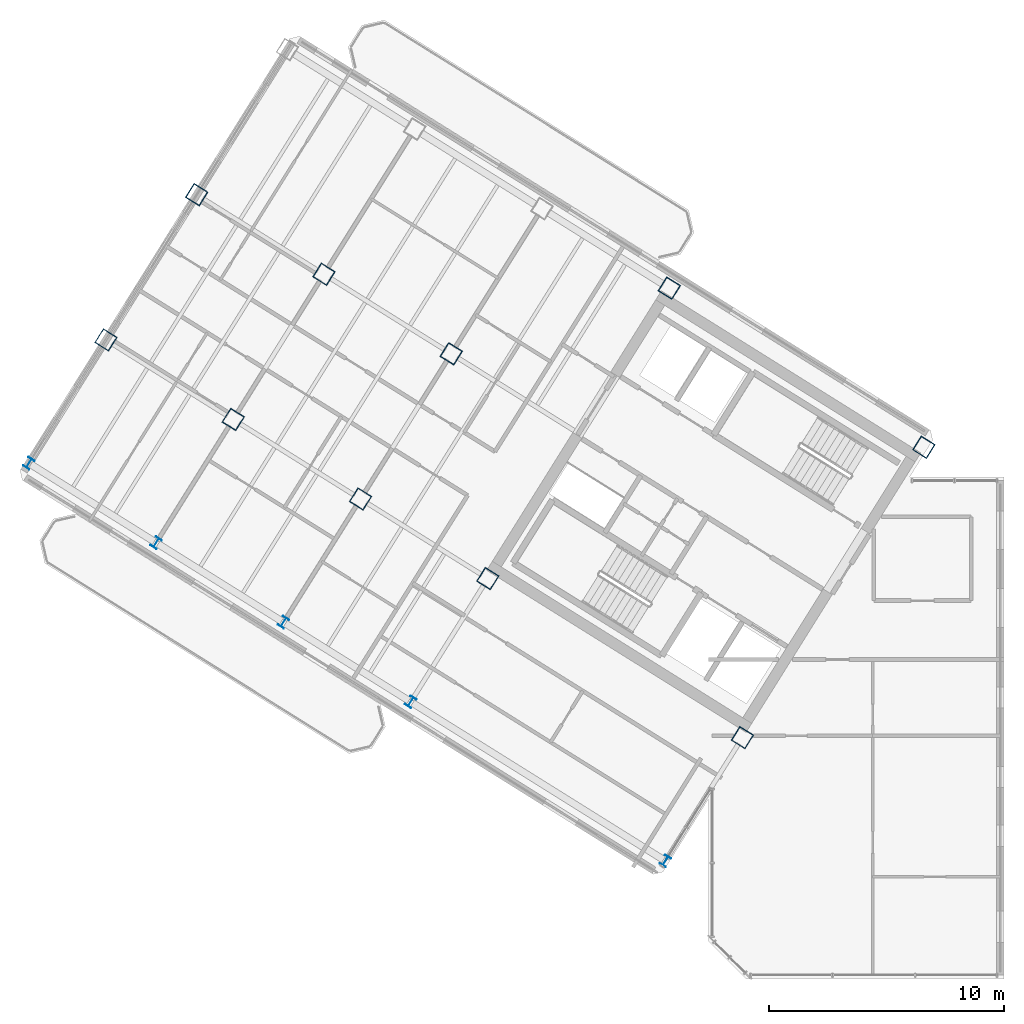
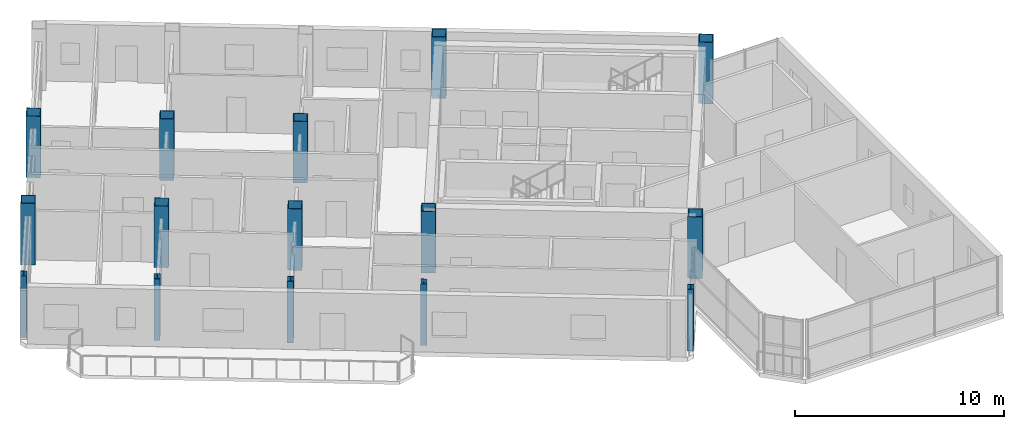
# One storey, part 1 of 17: 15 columns.
"""IFC4 building model written with IfcOpenShell, lengths in metres."""

from ifc_helpers import new_model, si_unit, direction, frame, origin, origin_2d, place, context, subcontext, project, spatial, hollow_rectangle, i_section, extrude, source, transform, mapped, material, material_profile, profile_set, type_object, element, save


model = new_model("IFC4")

# Units and contexts
model_context = context("Model", 3, precision=1e-05, world=origin(), true_north=direction((0.0, 1.0)))
body_context = subcontext(model_context, "Body", "Model", "MODEL_VIEW")
ifc_project = project(units=[si_unit("LENGTHUNIT", "METRE"), si_unit("AREAUNIT", "SQUARE_METRE"), si_unit("VOLUMEUNIT", "CUBIC_METRE"), si_unit("PLANEANGLEUNIT", "RADIAN"), si_unit("MASSUNIT", "GRAM", prefix="KILO")], contexts=[model_context])

# Site, building, storey
site_placement = place(None, origin())
site = spatial("IfcSite", under=ifc_project, at=site_placement, CompositionType="ELEMENT")
building_placement = place(site_placement, origin())
building = spatial("IfcBuilding", under=site, at=building_placement, Name="Tlacorven Tower", CompositionType="ELEMENT")
storey_placement = place(building_placement, frame((0.0, 0.0, 270.0)))
storey = spatial("IfcBuildingStorey", under=building, at=storey_placement, Name="L68", CompositionType="ELEMENT", Elevation=270.0)

# Columns
ifc_material_1 = material(Name="Steel S355J2", Category="steel")
ifc_material_profile_1 = material_profile(ifc_material_1, i_section(OverallWidth=0.300048828125, OverallDepth=0.449951171875, WebThickness=0.013916015625, FlangeThickness=0.02587890625, at=origin_2d()), Name="HEB 450")
ifc_profile_set_1 = profile_set([ifc_material_profile_1], Name="Steel S355J2")
column_type_1 = type_object("IfcColumnType", Name="COL-TWR-P3", PredefinedType="COLUMN", material=ifc_profile_set_1)
shared_shape_1 = source(origin(), body_context, "Body", "SweptSolid", [
    extrude(i_section(OverallWidth=0.300048828125, OverallDepth=0.449951171875, WebThickness=0.013916015625, FlangeThickness=0.02587890625, at=origin_2d()), origin(), (0.0, 0.0, 1.0), 3.60009765625),
])
for number, where, z_axis, x_axis, name in (
    (1, (29.7607421875, 6.8291015625, 0.0), (0.0, 0.0, 1.0), (-0.848048096156, 0.529919264233, 0.0), "L68 column COL-L68-W1-4"),
    (2, (18.905517578125, 13.612060546875, 0.0), (0.0, 0.0, 1.0), (-0.848048096156, 0.529919264233, 0.0), "L68 column COL-L68-W3-4"),
    (3, (13.47802734375, 17.00341796875, 0.0), (0.0, 0.0, 1.0), (-0.848048096156, 0.529919264233, 0.0), "L68 column COL-L68-W4-4"),
    (4, (8.050537109375, 20.39501953125, 0.0), (0.0, 0.0, 1.0), (-0.848048096156, 0.529919264233, 0.0), "L68 column COL-L68-W5-4"),
    (5, (2.623046875, 23.786376953125, 0.0), (0.0, 0.0, 1.0), (-0.848048096156, 0.529919264233, 0.0), "L68 column COL-L68-W6-4"),
):
    element("IfcColumn", number, at=place(storey_placement, frame(where, z_axis=z_axis, x_axis=x_axis)), inside=storey, type_object=column_type_1, Name=name, PredefinedType="COLUMN", context=body_context, shape_type="MappedRepresentation", body=[
        mapped(shared_shape_1, transform((0.0, 0.0, 0.0), scale=1.0)),
    ])
ifc_material_2 = material(Name="Steel S460M", Category="steel")
ifc_material_profile_2 = material_profile(ifc_material_2, hollow_rectangle(XDim=0.699951171875, YDim=0.699951171875, WallThickness=0.028076171875, at=origin_2d()), Name="BOX 700X700X28")
ifc_profile_set_2 = profile_set([ifc_material_profile_2], Name="Steel S460M")
column_type_2 = type_object("IfcColumnType", Name="COL-TWR-S4", PredefinedType="COLUMN", material=ifc_profile_set_2)
shared_shape_2 = source(origin(), body_context, "Body", "SweptSolid", [
    extrude(hollow_rectangle(XDim=0.699951171875, YDim=0.699951171875, WallThickness=0.028076171875, at=origin_2d()), origin(), (0.0, 0.0, 1.0), 3.60009765625),
])
for number, where, z_axis, x_axis, name in (
    (6, (40.782958984375, 24.468505859375, 0.0), (0.0, 0.0, 1.0), (-0.848048096156, 0.529919264233, 0.0), "L68 column COL-L68-W1-1"),
    (7, (33.046142578125, 12.0869140625, 0.0), (0.0, 0.0, 1.0), (-0.848048096156, 0.529919264233, 0.0), "L68 column COL-L68-W1-3"),
    (8, (29.927978515625, 31.25146484375, 0.0), (0.0, 0.0, 1.0), (-0.848048096156, 0.529919264233, 0.0), "L68 column COL-L68-W3-1"),
    (9, (22.191162109375, 18.869873046875, 0.0), (0.0, 0.0, 1.0), (-0.848048096156, 0.529919264233, 0.0), "L68 column COL-L68-W3-3"),
    (10, (20.632080078125, 28.4521484375, 0.0), (0.0, 0.0, 1.0), (-0.848048096156, 0.529919264233, 0.0), "L68 column COL-L68-W4-2"),
    (11, (16.763671875, 22.26123046875, 0.0), (0.0, 0.0, 1.0), (-0.848048096156, 0.529919264233, 0.0), "L68 column COL-L68-W4-3"),
    (12, (15.20458984375, 31.843505859375, 0.0), (0.0, 0.0, 1.0), (-0.848048096156, 0.529919264233, 0.0), "L68 column COL-L68-W5-2"),
    (13, (11.336181640625, 25.65283203125, 0.0), (0.0, 0.0, 1.0), (-0.848048096156, 0.529919264233, 0.0), "L68 column COL-L68-W5-3"),
    (14, (9.777099609375, 35.235107421875, 0.0), (0.0, 0.0, 1.0), (-0.848048096156, 0.529919264233, 0.0), "L68 column COL-L68-W6-2"),
    (15, (5.90869140625, 29.044189453125, 0.0), (0.0, 0.0, 1.0), (-0.848048096156, 0.529919264233, 0.0), "L68 column COL-L68-W6-3"),
):
    element("IfcColumn", number, at=place(storey_placement, frame(where, z_axis=z_axis, x_axis=x_axis)), inside=storey, type_object=column_type_2, Name=name, PredefinedType="COLUMN", context=body_context, shape_type="MappedRepresentation", body=[
        mapped(shared_shape_2, transform((0.0, 0.0, 0.0), scale=1.0)),
    ])

save(model, "model.ifc")
